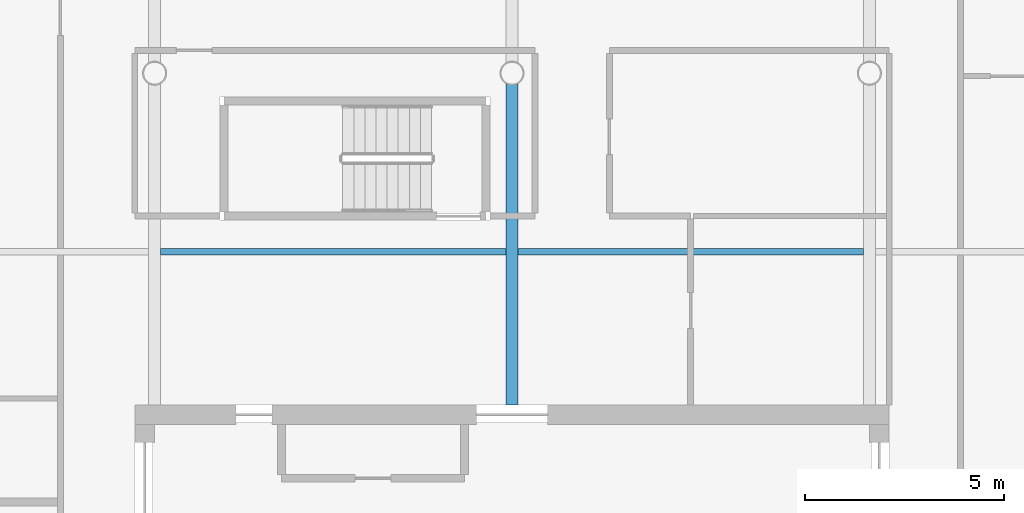
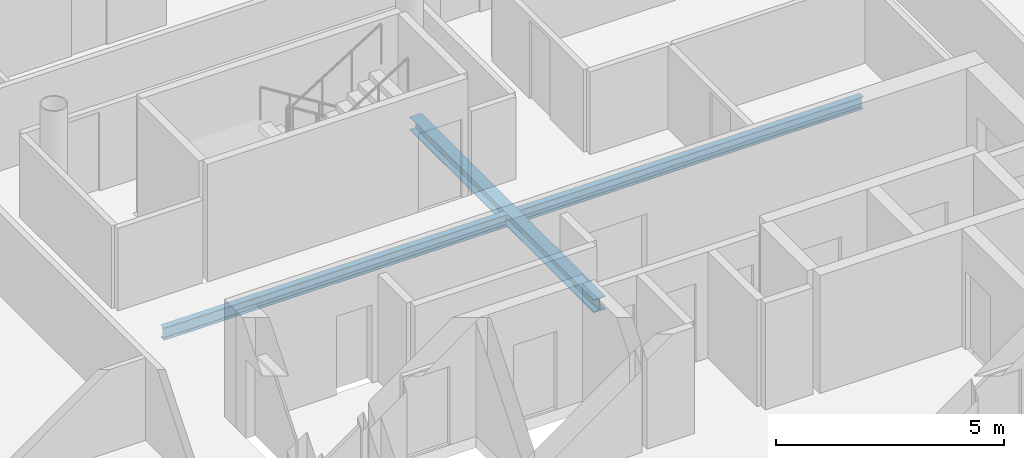
# One storey, part 7 of 20: 3 beams.
"""IFC4 building model written with IfcOpenShell, lengths in metres."""

from ifc_helpers import new_model, si_unit, direction, frame, origin, origin_2d, place, context, subcontext, project, spatial, i_section, extrude, material, material_profile, profile_set, type_object, element, save


model = new_model("IFC4")

# Units and contexts
model_context = context("Model", 3, precision=1e-05, world=origin(), true_north=direction((0.0, 1.0)))
body_context = subcontext(model_context, "Body", "Model", "MODEL_VIEW")
ifc_project = project(units=[si_unit("LENGTHUNIT", "METRE"), si_unit("AREAUNIT", "SQUARE_METRE"), si_unit("VOLUMEUNIT", "CUBIC_METRE"), si_unit("PLANEANGLEUNIT", "RADIAN"), si_unit("MASSUNIT", "GRAM", prefix="KILO")], contexts=[model_context])

# Site, building, storey
site_placement = place(None, origin())
site = spatial("IfcSite", under=ifc_project, at=site_placement, CompositionType="ELEMENT")
building_placement = place(site_placement, origin())
building = spatial("IfcBuilding", under=site, at=building_placement, Name="Tskaro Facet Tower", CompositionType="ELEMENT")
storey_placement = place(building_placement, frame((0.0, 0.0, 187.949951171875)))
storey = spatial("IfcBuildingStorey", under=building, at=storey_placement, Name="L47", CompositionType="ELEMENT", Elevation=187.949951171875)

# Beams
ifc_material = material(Name="Steel S355J2", Category="steel")
ifc_material_profile_1 = material_profile(ifc_material, i_section(OverallWidth=0.300048828125, OverallDepth=0.35009765625, WebThickness=0.010009765625, FlangeThickness=0.017578125, FilletRadius=0.027099609375, at=origin_2d()), Name="HE 360 A")
ifc_profile_set_1 = profile_set([ifc_material_profile_1], Name="Steel S355J2")
beam_type_1 = type_object("IfcBeamType", Name="HE 360 A girder", PredefinedType="BEAM", material=ifc_profile_set_1)
beam_placement = place(storey_placement, frame((0.0, 0.64990234375, -0.31494140625), z_axis=(0.0, 1.0, 0.0), x_axis=(-1.0, 0.0, 0.0)))
element("IfcBeam", 1, at=beam_placement, inside=storey, type_object=beam_type_1, Name="HE 360 A GB4-2-4", PredefinedType="BEAM", context=body_context, shape_type="SweptSolid", body=[
    extrude(i_section(OverallWidth=0.300048828125, OverallDepth=0.35009765625, WebThickness=0.010009765625, FlangeThickness=0.017578125, FilletRadius=0.027099609375, at=origin_2d()), origin(), (0.0, 0.0, 1.0), 8.0751953125),
])
ifc_material_profile_2 = material_profile(ifc_material, i_section(OverallWidth=0.159912109375, OverallDepth=0.330078125, WebThickness=0.007568359375, FlangeThickness=0.011474609375, FilletRadius=0.01806640625, at=origin_2d()), Name="IPE 330")
ifc_profile_set_2 = profile_set([ifc_material_profile_2], Name="Steel S355J2")
beam_type_2 = type_object("IfcBeamType", Name="IPE 330 secondary beam", PredefinedType="BEAM", material=ifc_profile_set_2)
for number, where, z_axis, x_axis, name in (
    (2, (-8.85009765625, 4.5, -0.304931640625), (1.0, 0.0, 0.0), (0.0, 1.0, 0.0), "IPE 330 SB4a-3-4"),
    (3, (0.14990234375, 4.5, -0.304931640625), (1.0, 0.0, 0.0), (0.0, 1.0, 0.0), "IPE 330 SB4a-4-4"),
):
    element("IfcBeam", number, at=place(storey_placement, frame(where, z_axis=z_axis, x_axis=x_axis)), inside=storey, type_object=beam_type_2, Name=name, PredefinedType="BEAM", context=body_context, shape_type="SweptSolid", body=[
        extrude(i_section(OverallWidth=0.159912109375, OverallDepth=0.330078125, WebThickness=0.007568359375, FlangeThickness=0.011474609375, FilletRadius=0.01806640625, at=origin_2d()), origin(), (0.0, 0.0, 1.0), 8.7001953125),
    ])

save(model, "model.ifc")
